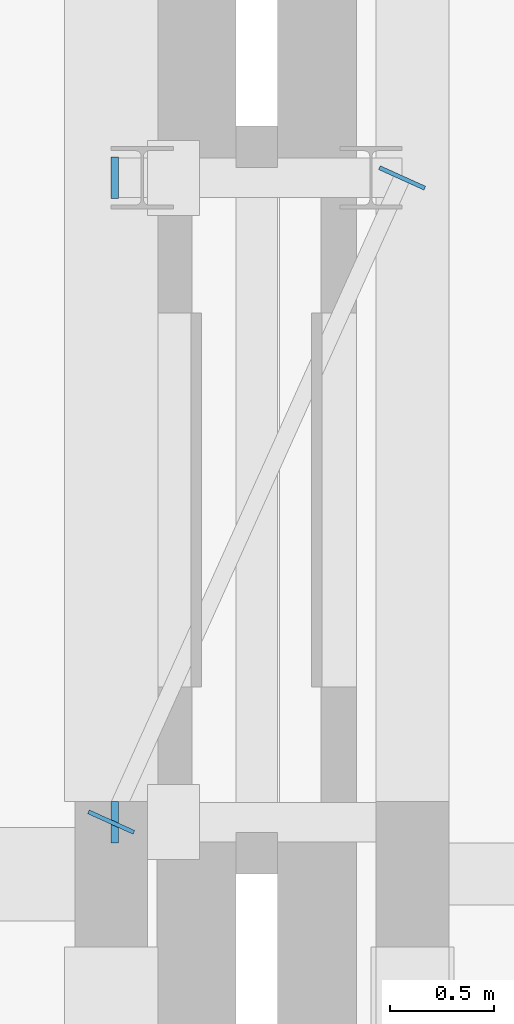
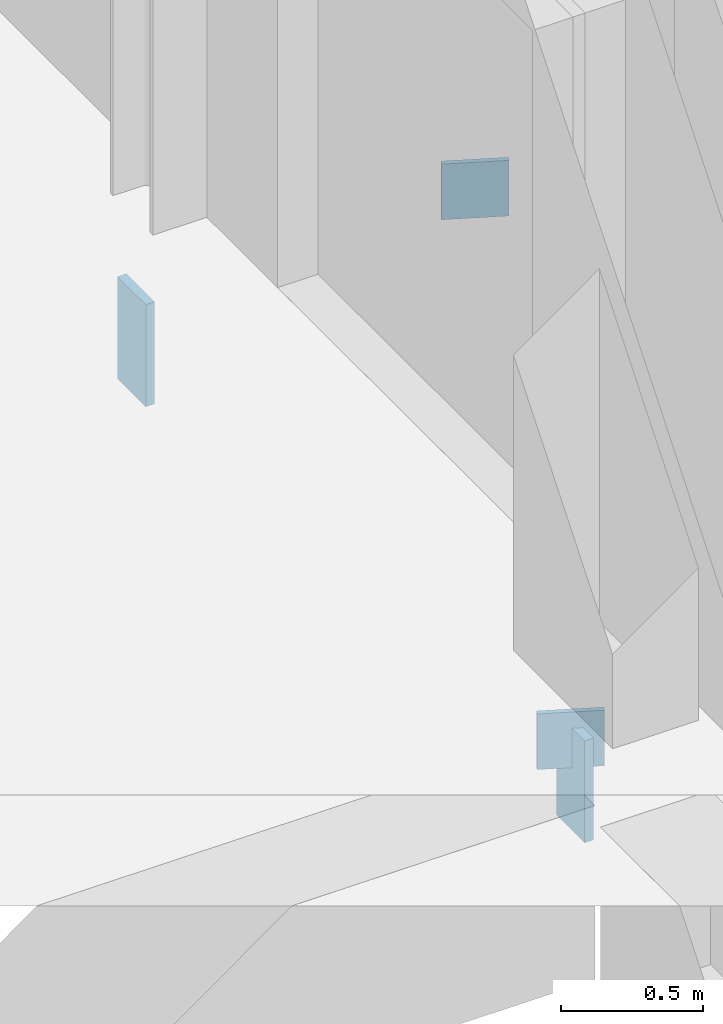
# One storey, part 21 of 41: 4 plates.
"""IFC4 building model written with IfcOpenShell, lengths in metres."""

from ifc_helpers import new_model, si_unit, direction, frame, origin, origin_2d, place, context, subcontext, project, spatial, rectangle, extrude, material, layer, layer_set, type_object, element, save


model = new_model("IFC4")

# Units and contexts
model_context = context("Model", 3, precision=1e-05, world=origin(), true_north=direction((0.0, 1.0)))
body_context = subcontext(model_context, "Body", "Model", "MODEL_VIEW")
ifc_project = project(units=[si_unit("LENGTHUNIT", "METRE"), si_unit("AREAUNIT", "SQUARE_METRE"), si_unit("VOLUMEUNIT", "CUBIC_METRE"), si_unit("PLANEANGLEUNIT", "RADIAN"), si_unit("MASSUNIT", "GRAM", prefix="KILO")], contexts=[model_context])

# Site, building, storey
site_placement = place(None, origin())
site = spatial("IfcSite", under=ifc_project, at=site_placement, CompositionType="ELEMENT")
building_placement = place(site_placement, origin())
building = spatial("IfcBuilding", under=site, at=building_placement, Name="Mzevani Central Library", CompositionType="ELEMENT")
storey_placement = place(building_placement, frame((0.0, 0.0, 13.800048828125)))
storey = spatial("IfcBuildingStorey", under=building, at=storey_placement, Name="L03", CompositionType="ELEMENT", Elevation=13.800048828125)

# Plates
ifc_material = material(Name="Steel S355J2", Category="steel")
ifc_layer_1 = layer(ifc_material, 0.02001953125, Name="Gridshell Hub Gusset Plate 20")
ifc_layer_set_1 = layer_set([ifc_layer_1], Name="Steel S355J2")
plate_type_1 = type_object("IfcPlateType", Name="Gridshell Hub Gusset Plate 20", PredefinedType="SHEET", material=ifc_layer_set_1)
for number, where, z_axis, x_axis, name in (
    (1, (45.300048828125, 100.25, -0.5), (0.0, 0.0, 1.0), (0.411585938782, 0.911370953562, 0.0), "L03 Stacks-Court Seismic Passage L03 Diaphragm Chord End Cap 1"),
    (2, (46.699951171875, 103.35009765625, -0.5), (0.0, 0.0, 1.0), (0.411585938782, 0.911370953562, 0.0), "L03 Stacks-Court Seismic Passage L03 Diaphragm Chord End Cap 2"),
):
    element("IfcPlate", number, at=place(storey_placement, frame(where, z_axis=z_axis, x_axis=x_axis)), inside=storey, type_object=plate_type_1, Name=name, PredefinedType="SHEET", context=body_context, shape_type="SweptSolid", body=[
        extrude(rectangle(XDim=0.02001953125, YDim=0.239990234375, at=origin_2d()), origin(), (0.0, 0.0, 1.0), 0.239990234375),
    ])
ifc_layer_2 = layer(ifc_material, 0.035888671875, Name="Truss Splice Flange Plate 36")
ifc_layer_set_2 = layer_set([ifc_layer_2], Name="Steel S355J2")
plate_type_2 = type_object("IfcPlateType", Name="Truss Splice Flange Plate 36", PredefinedType="USERDEFINED", material=ifc_layer_set_2)
for number, where, z_axis, x_axis, name in (
    (3, (45.318115234375, 100.25, -0.77001953125), (0.0, 0.0, 1.0), (1.0, 0.0, 0.0), "Stacks-Court Seismic Passage L03 Girder End Cap Plate 1"),
    (4, (45.318115234375, 103.35009765625, -0.77001953125), (0.0, 0.0, 1.0), (1.0, 0.0, 0.0), "Stacks-Court Seismic Passage L03 Girder End Cap Plate 2"),
):
    element("IfcPlate", number, at=place(storey_placement, frame(where, z_axis=z_axis, x_axis=x_axis)), inside=storey, type_object=plate_type_2, Name=name, ObjectType="SPLICE PLATE", PredefinedType="USERDEFINED", context=body_context, shape_type="SweptSolid", body=[
        extrude(rectangle(XDim=0.035888671875, YDim=0.199951171875, at=origin_2d()), origin(), (0.0, 0.0, 1.0), 0.43994140625),
    ])

save(model, "model.ifc")
